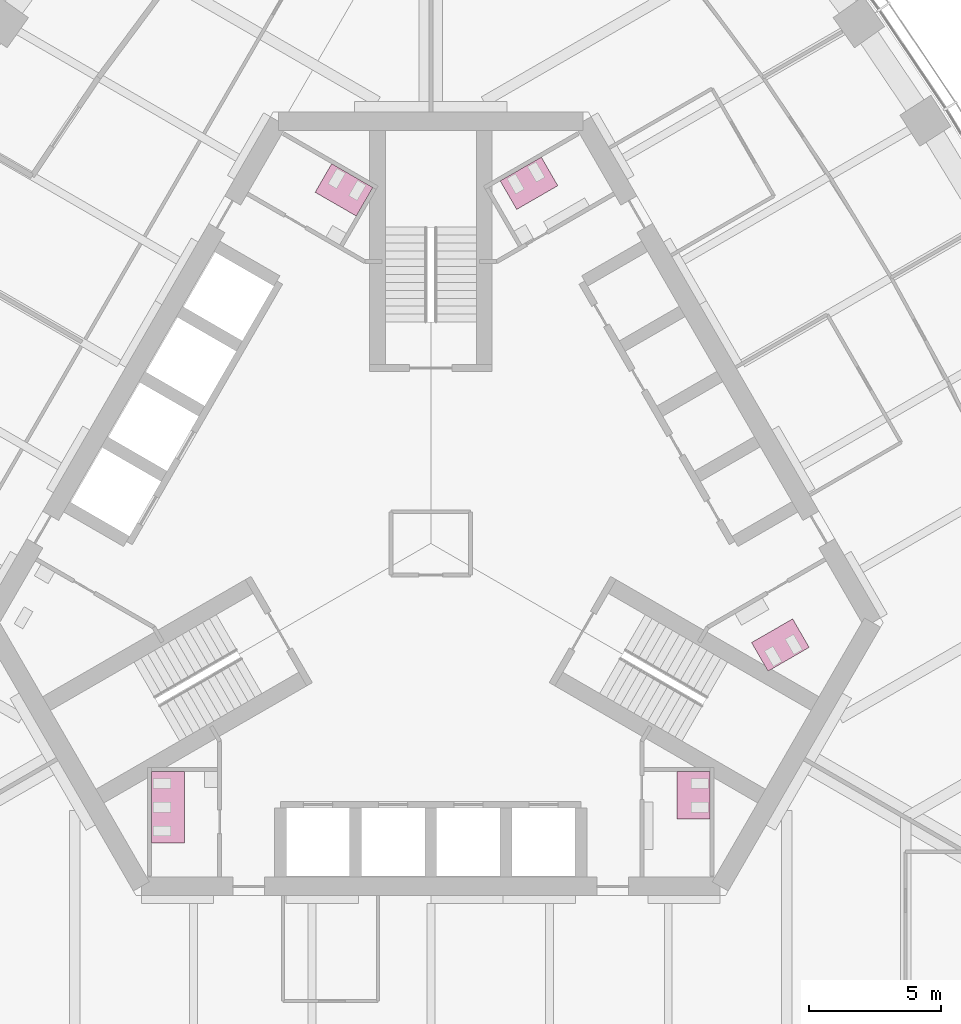
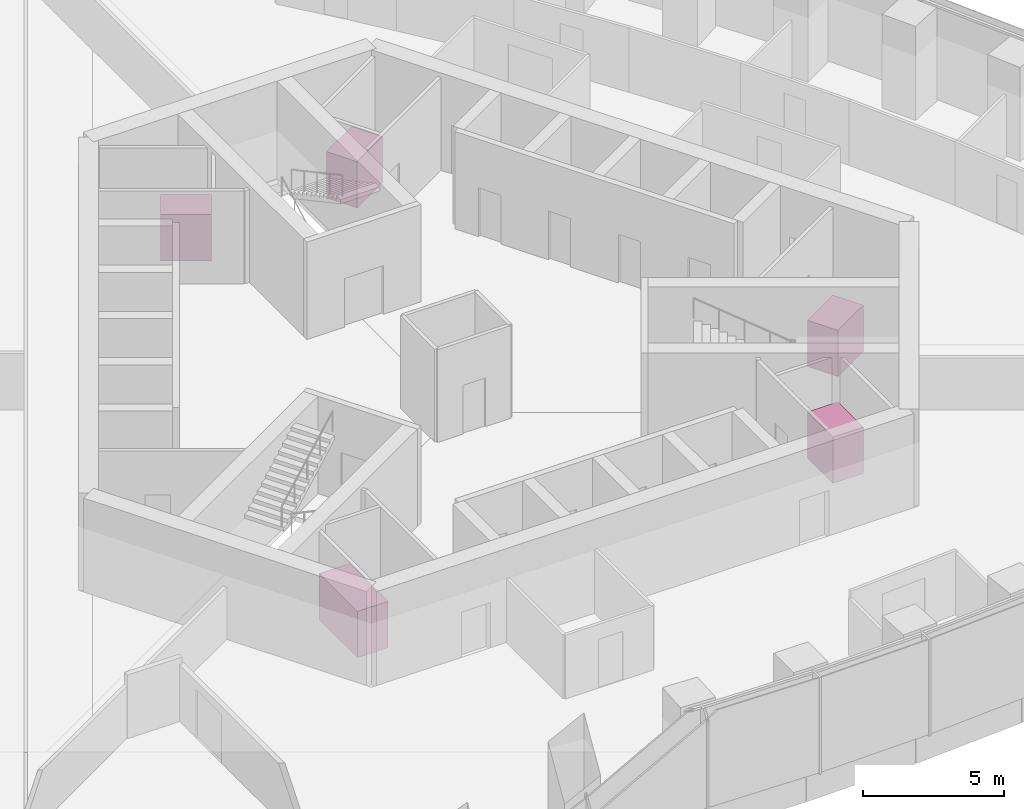
# One storey, part 19 of 19: 5 furniture elements.
"""IFC4 building model written with IfcOpenShell, lengths in metres."""

from ifc_helpers import new_model, si_unit, direction, frame, origin, place, context, subcontext, project, spatial, polyline, outline, extrude, material, type_object, element, save


model = new_model("IFC4")

# Units and contexts
model_context = context("Model", 3, precision=1e-05, world=origin(), true_north=direction((0.0, 1.0)))
body_context = subcontext(model_context, "Body", "Model", "MODEL_VIEW")
ifc_project = project(units=[si_unit("LENGTHUNIT", "METRE"), si_unit("AREAUNIT", "SQUARE_METRE"), si_unit("VOLUMEUNIT", "CUBIC_METRE"), si_unit("PLANEANGLEUNIT", "RADIAN"), si_unit("MASSUNIT", "GRAM", prefix="KILO")], contexts=[model_context])

# Site, building, storey
site_placement = place(None, origin())
site = spatial("IfcSite", under=ifc_project, at=site_placement, CompositionType="ELEMENT")
building_placement = place(site_placement, origin())
building = spatial("IfcBuilding", under=site, at=building_placement, Name="Trefoil Bronze Tower", CompositionType="ELEMENT")
storey_placement = place(building_placement, frame((0.0, 0.0, 256.89990234375)))
storey = spatial("IfcBuildingStorey", under=building, at=storey_placement, Name="L59", CompositionType="ELEMENT", Elevation=256.89990234375)

# Furniture
ifc_material_1 = material(Name="Compact laminate cubicles", Category="plastic")
furniture_type_1 = type_object("IfcFurnitureType", Name="WC cubicle range 2 cubicles", AssemblyPlace="FACTORY", PredefinedType="USERDEFINED", material=ifc_material_1)
furniture_1_placement = place(storey_placement, origin())
element("IfcFurniture", 1, at=furniture_1_placement, inside=storey, type_object=furniture_type_1, Name="WC cubicle range WC (men) L59", ObjectType="WC cubicle range", PredefinedType="USERDEFINED", context=body_context, shape_type="SweptSolid", body=[
    extrude(outline(polyline([(9.3349609375, -8.64990234375), (10.5849609375, -8.64990234375), (10.5849609375, -10.449951171875), (9.3349609375, -10.449951171875), (9.3349609375, -8.64990234375)])), origin(), (0.0, 0.0, 1.0), 2.0),
])
furniture_2_placement = place(storey_placement, origin())
element("IfcFurniture", 2, at=furniture_2_placement, inside=storey, type_object=furniture_type_1, Name="WC cubicle range WC (women) L59", ObjectType="WC cubicle range", PredefinedType="USERDEFINED", context=body_context, shape_type="SweptSolid", body=[
    extrude(outline(polyline([(12.15869140625, -3.75927734375), (12.78369140625, -4.841796875), (14.342529296875, -3.94189453125), (13.717529296875, -2.859375), (12.15869140625, -3.75927734375)])), origin(), (0.0, 0.0, 1.0), 2.0),
])
furniture_3_placement = place(storey_placement, origin())
element("IfcFurniture", 3, at=furniture_3_placement, inside=storey, type_object=furniture_type_1, Name="WC cubicle range WC (men) L59", ObjectType="WC cubicle range", PredefinedType="USERDEFINED", context=body_context, shape_type="SweptSolid", body=[
    extrude(outline(polyline([(3.256591796875, 12.659423828125), (2.631591796875, 13.741943359375), (4.1904296875, 14.641845703125), (4.8154296875, 13.559326171875), (3.256591796875, 12.659423828125)])), origin(), (0.0, 0.0, 1.0), 2.0),
])
furniture_4_placement = place(storey_placement, origin())
element("IfcFurniture", 4, at=furniture_4_placement, inside=storey, type_object=furniture_type_1, Name="WC cubicle range WC (women) L59", ObjectType="WC cubicle range", PredefinedType="USERDEFINED", context=body_context, shape_type="SweptSolid", body=[
    extrude(outline(polyline([(-2.82373046875, 12.409423828125), (-2.19873046875, 13.491943359375), (-3.757568359375, 14.391845703125), (-4.382568359375, 13.309326171875), (-2.82373046875, 12.409423828125)])), origin(), (0.0, 0.0, 1.0), 2.0),
])
ifc_material_2 = material(Name="Compact laminate cubicles", Category="plastic")
furniture_type_2 = type_object("IfcFurnitureType", Name="WC cubicle range 3 cubicles", AssemblyPlace="FACTORY", PredefinedType="USERDEFINED", material=ifc_material_2)
furniture_5_placement = place(storey_placement, origin())
element("IfcFurniture", 5, at=furniture_5_placement, inside=storey, type_object=furniture_type_2, Name="WC cubicle range WC (women) L59", ObjectType="WC cubicle range", PredefinedType="USERDEFINED", context=body_context, shape_type="SweptSolid", body=[
    extrude(outline(polyline([(-9.3349609375, -8.64990234375), (-10.5849609375, -8.64990234375), (-10.5849609375, -11.35009765625), (-9.3349609375, -11.35009765625), (-9.3349609375, -8.64990234375)])), origin(), (0.0, 0.0, 1.0), 2.0),
])

save(model, "model.ifc")
